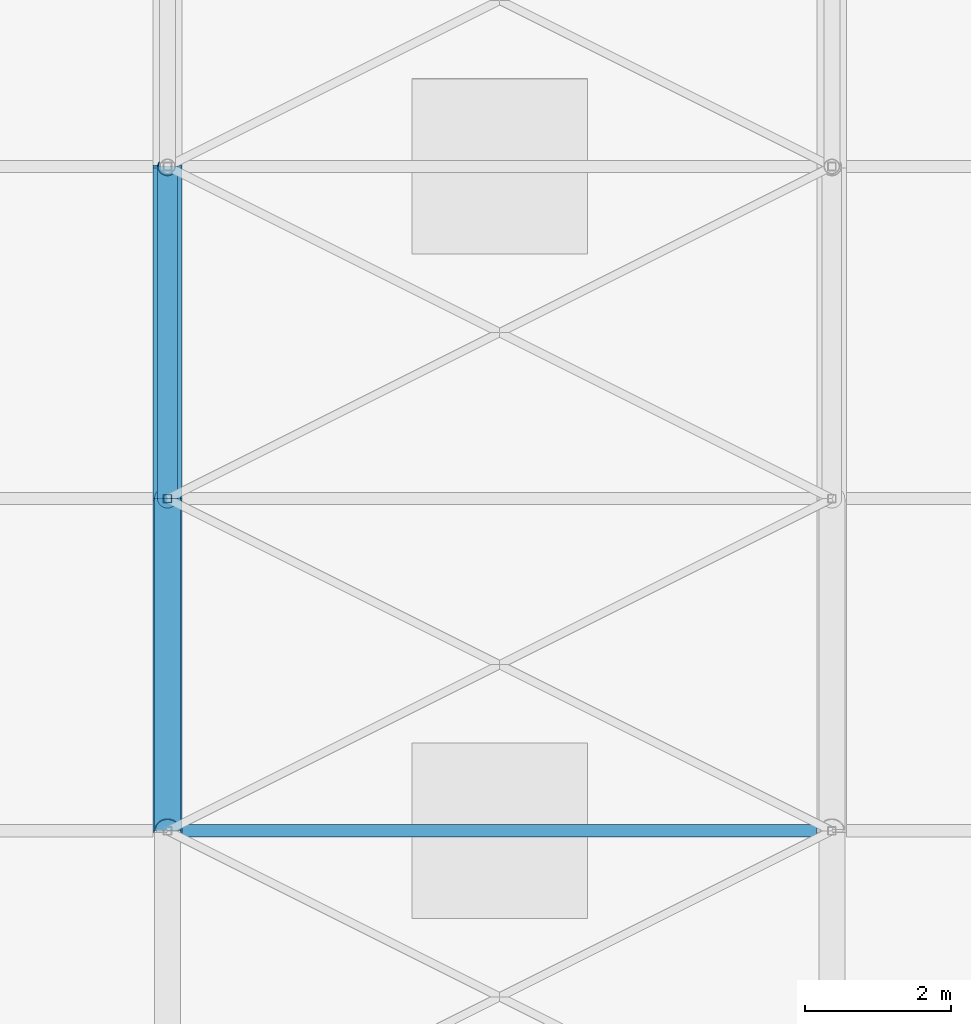
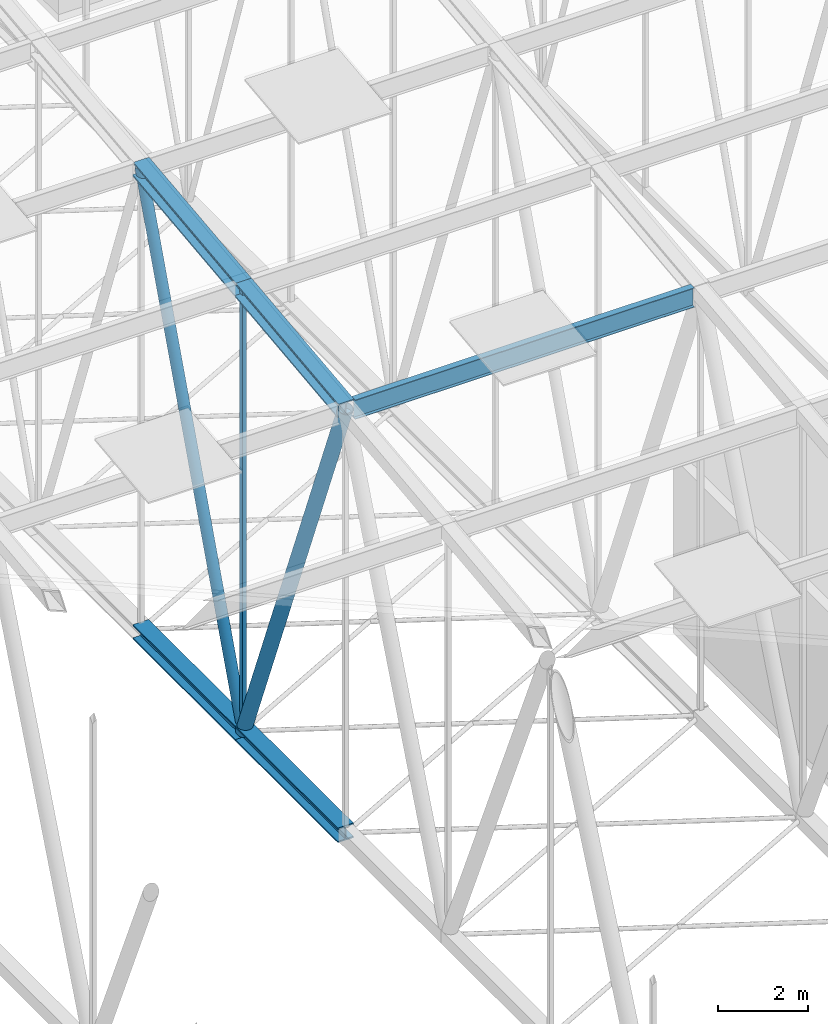
# One storey, part 147 of 500: 8 members.
"""IFC4 building model written with IfcOpenShell, lengths in metres."""

from ifc_helpers import new_model, si_unit, direction, frame, origin, origin_2d, place, context, subcontext, project, spatial, hollow_rectangle, hollow_circle, i_section, extrude, material, material_profile, profile_set, type_object, element, save


model = new_model("IFC4")

# Units and contexts
model_context = context("Model", 3, precision=1e-05, world=origin(), true_north=direction((0.0, 1.0)))
body_context = subcontext(model_context, "Body", "Model", "MODEL_VIEW")
ifc_project = project(units=[si_unit("LENGTHUNIT", "METRE"), si_unit("AREAUNIT", "SQUARE_METRE"), si_unit("VOLUMEUNIT", "CUBIC_METRE"), si_unit("PLANEANGLEUNIT", "RADIAN"), si_unit("MASSUNIT", "GRAM", prefix="KILO")], contexts=[model_context])

# Site, building, storey
site_placement = place(None, origin())
site = spatial("IfcSite", under=ifc_project, at=site_placement, CompositionType="ELEMENT")
building_placement = place(site_placement, origin())
building = spatial("IfcBuilding", under=site, at=building_placement, Name="Shirokan Park Arena", CompositionType="ELEMENT")
storey_placement = place(building_placement, frame((0.0, 0.0, 29.1201171875)))
storey = spatial("IfcBuildingStorey", under=building, at=storey_placement, Name="L06", CompositionType="ELEMENT", Elevation=29.1201171875)

# Members
ifc_material_1 = material(Name="Steel ASTM A992", Category="steel")
ifc_material_profile_1 = material_profile(ifc_material_1, i_section(OverallWidth=0.40087890625, OverallDepth=0.39892578125, WebThickness=0.02490234375, FlangeThickness=0.03955078125, at=origin_2d()), Name="W360X314")
ifc_profile_set_1 = profile_set([ifc_material_profile_1], Name="Steel ASTM A992")
member_type_1 = type_object("IfcMemberType", Name="Bottom chord W360X314", PredefinedType="CHORD", material=ifc_profile_set_1)
member_1_placement = place(storey_placement, frame((91.0, 31.85009765625, 4.677001953125), z_axis=(0.0, 1.0, 0.0), x_axis=(-1.0, 0.0, 0.0)))
element("IfcMember", 1, at=member_1_placement, inside=storey, type_object=member_type_1, Name="Truss T11 bottom chord 10", PredefinedType="CHORD", context=body_context, shape_type="SweptSolid", body=[
    extrude(i_section(OverallWidth=0.40087890625, OverallDepth=0.39892578125, WebThickness=0.02490234375, FlangeThickness=0.03955078125, at=origin_2d()), origin(), (0.0, 0.0, 1.0), 4.5498046875),
])
member_2_placement = place(storey_placement, frame((91.0, 36.39990234375, 4.677001953125), z_axis=(0.0, 1.0, 0.0), x_axis=(-1.0, 0.0, 0.0)))
element("IfcMember", 2, at=member_2_placement, inside=storey, type_object=member_type_1, Name="Truss T11 bottom chord 11", PredefinedType="CHORD", context=body_context, shape_type="SweptSolid", body=[
    extrude(i_section(OverallWidth=0.40087890625, OverallDepth=0.39892578125, WebThickness=0.02490234375, FlangeThickness=0.03955078125, at=origin_2d()), origin(), (0.0, 0.0, 1.0), 4.550048828125),
])
ifc_material_profile_2 = material_profile(ifc_material_1, i_section(OverallWidth=0.166015625, OverallDepth=0.528076171875, WebThickness=0.009765625, FlangeThickness=0.013671875, at=origin_2d()), Name="W530X74")
ifc_profile_set_2 = profile_set([ifc_material_profile_2], Name="Steel ASTM A992")
member_type_2 = type_object("IfcMemberType", Name="Purlin W530X74", PredefinedType="PURLIN", material=ifc_profile_set_2)
member_3_placement = place(storey_placement, frame((91.200439453125, 31.85009765625, 16.1259765625), z_axis=(1.0, 0.0, 0.0), x_axis=(0.0, 1.0, 0.0)))
element("IfcMember", 3, at=member_3_placement, inside=storey, type_object=member_type_2, Name="Purlin 10 bay 11", PredefinedType="PURLIN", context=body_context, shape_type="SweptSolid", body=[
    extrude(i_section(OverallWidth=0.166015625, OverallDepth=0.528076171875, WebThickness=0.009765625, FlangeThickness=0.013671875, at=origin_2d()), origin(), (0.0, 0.0, 1.0), 8.698974609375),
])
ifc_material_profile_3 = material_profile(ifc_material_1, i_section(OverallWidth=0.40087890625, OverallDepth=0.39892578125, WebThickness=0.02490234375, FlangeThickness=0.03955078125, at=origin_2d()), Name="W360X314")
ifc_profile_set_3 = profile_set([ifc_material_profile_3], Name="Steel ASTM A992")
member_type_3 = type_object("IfcMemberType", Name="Top chord W360X314", PredefinedType="CHORD", material=ifc_profile_set_3)
member_4_placement = place(storey_placement, frame((91.0, 31.85009765625, 16.181396484375), z_axis=(0.0, 0.993531641592, 0.11355561261), x_axis=(-1.0, 0.0, 0.0)))
element("IfcMember", 4, at=member_4_placement, inside=storey, type_object=member_type_3, Name="Truss T11 top chord 10", PredefinedType="CHORD", context=body_context, shape_type="SweptSolid", body=[
    extrude(i_section(OverallWidth=0.40087890625, OverallDepth=0.39892578125, WebThickness=0.02490234375, FlangeThickness=0.03955078125, at=origin_2d()), origin(), (0.0, 0.0, 1.0), 4.579345703125),
])
member_5_placement = place(storey_placement, frame((91.0, 36.39990234375, 16.701416015625), z_axis=(0.0, 0.993532328996, 0.113549598152), x_axis=(-1.0, 0.0, 0.0)))
element("IfcMember", 5, at=member_5_placement, inside=storey, type_object=member_type_3, Name="Truss T11 top chord 11", PredefinedType="CHORD", context=body_context, shape_type="SweptSolid", body=[
    extrude(i_section(OverallWidth=0.40087890625, OverallDepth=0.39892578125, WebThickness=0.02490234375, FlangeThickness=0.03955078125, at=origin_2d()), origin(), (0.0, 0.0, 1.0), 4.57958984375),
])
ifc_material_2 = material(Name="Steel ASTM A500 Grade C", Category="steel")
ifc_material_profile_4 = material_profile(ifc_material_2, hollow_circle(Radius=0.136474609375, WallThickness=0.009521484375, at=origin_2d()), Name="HSS273.1X9.5")
ifc_profile_set_4 = profile_set([ifc_material_profile_4], Name="Steel ASTM A500 Grade C")
member_type_4 = type_object("IfcMemberType", Name="Truss diagonal HSS273.1X9.5", PredefinedType="BRACE", material=ifc_profile_set_4)
member_6_placement = place(storey_placement, frame((91.0, 36.39990234375, 4.677001953125), z_axis=(0.0, 0.340977600467, 0.94007142068), x_axis=(-1.0, 0.0, 0.0)))
element("IfcMember", 6, at=member_6_placement, inside=storey, type_object=member_type_4, Name="Truss T11 diagonal 11", PredefinedType="BRACE", context=body_context, shape_type="SweptSolid", body=[
    extrude(hollow_circle(Radius=0.136474609375, WallThickness=0.009521484375, at=origin_2d()), origin(), (0.0, 0.0, 1.0), 13.34423828125),
])
ifc_material_profile_5 = material_profile(ifc_material_2, hollow_circle(Radius=0.177978515625, WallThickness=0.0126953125, at=origin_2d()), Name="HSS355.6X12.7")
ifc_profile_set_5 = profile_set([ifc_material_profile_5], Name="Steel ASTM A500 Grade C")
member_type_5 = type_object("IfcMemberType", Name="Truss diagonal HSS355.6X12.7", PredefinedType="BRACE", material=ifc_profile_set_5)
member_7_placement = place(storey_placement, frame((91.0, 31.85009765625, 16.181396484375), z_axis=(0.0, 0.367767637573, -0.929917719346), x_axis=(-1.0, 0.0, 0.0)))
element("IfcMember", 7, at=member_7_placement, inside=storey, type_object=member_type_5, Name="Truss T11 diagonal 10", PredefinedType="BRACE", context=body_context, shape_type="SweptSolid", body=[
    extrude(hollow_circle(Radius=0.177978515625, WallThickness=0.0126953125, at=origin_2d()), origin(), (0.0, 0.0, 1.0), 12.371337890625),
])
ifc_material_profile_6 = material_profile(ifc_material_2, hollow_rectangle(XDim=0.114013671875, YDim=0.114013671875, WallThickness=0.00634765625, at=origin_2d()), Name="HSS114.3X114.3X6.4")
ifc_profile_set_6 = profile_set([ifc_material_profile_6], Name="Steel ASTM A500 Grade C")
member_type_6 = type_object("IfcMemberType", Name="Truss post HSS114.3X114.3X6.4", PredefinedType="POST", material=ifc_profile_set_6)
member_8_placement = place(storey_placement, frame((91.0, 36.39990234375, 4.677001953125), z_axis=(0.0, 0.0, 1.0), x_axis=(1.0, 0.0, 0.0)))
element("IfcMember", 8, at=member_8_placement, inside=storey, type_object=member_type_6, Name="Truss T11 post 11", PredefinedType="POST", context=body_context, shape_type="SweptSolid", body=[
    extrude(hollow_rectangle(XDim=0.114013671875, YDim=0.114013671875, WallThickness=0.00634765625, at=origin_2d()), origin(), (0.0, 0.0, 1.0), 12.0244140625),
])

save(model, "model.ifc")
